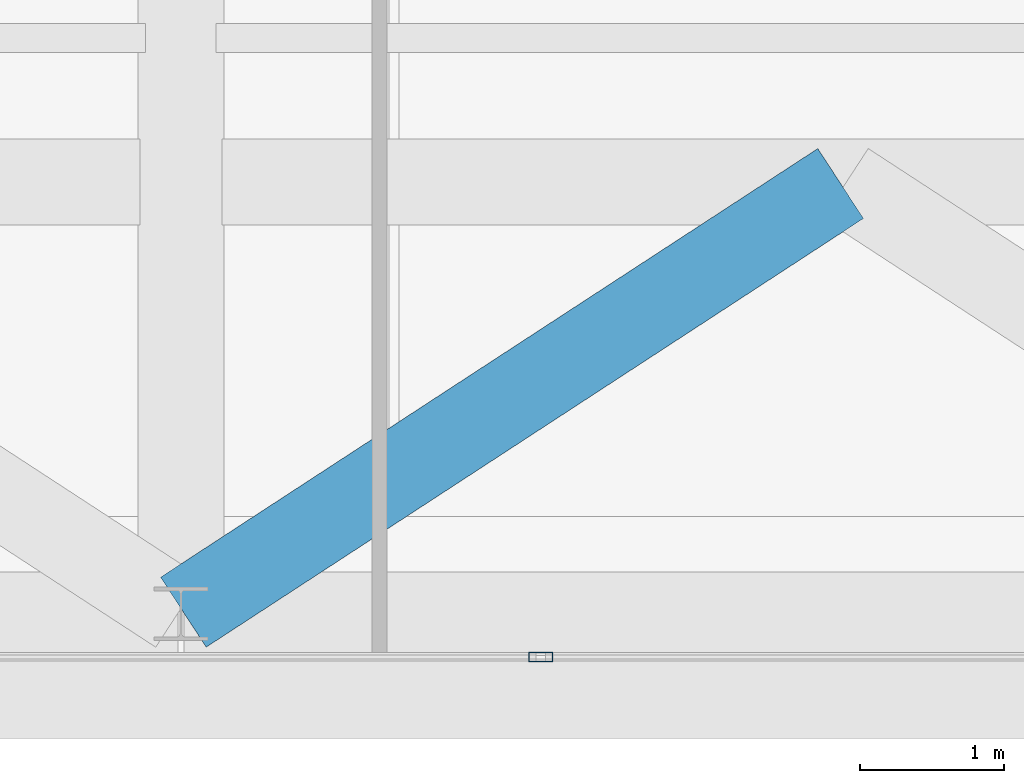
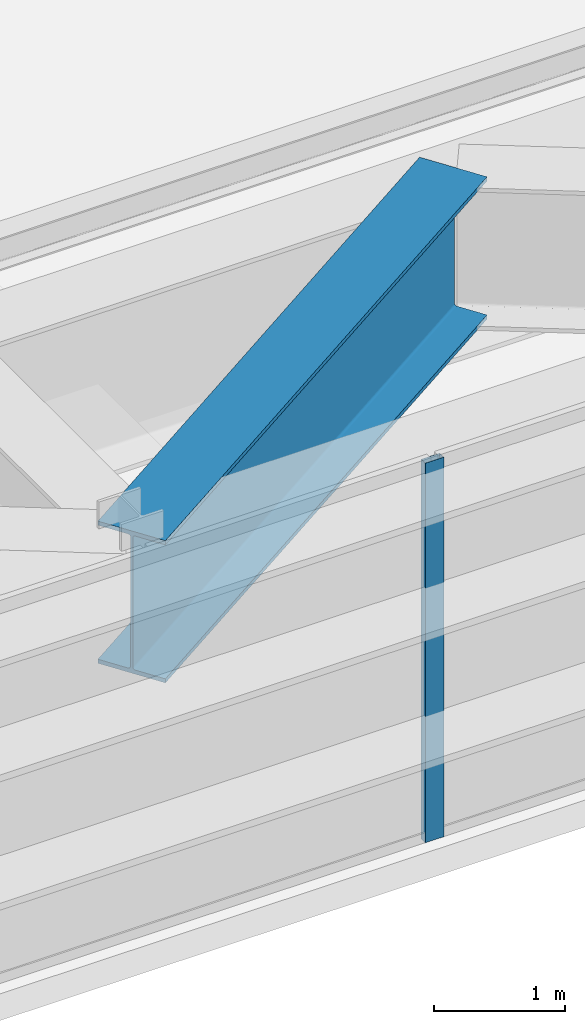
# One storey, part 13 of 26: 1 beam, 1 member, 1 element without a shape of its own.
"""IFC4 building model written with IfcOpenShell, lengths in metres."""

from ifc_helpers import new_model, si_unit, direction, frame, origin, origin_2d, place, context, subcontext, project, spatial, hollow_rectangle, i_section, extrude, source, transform, mapped, material, layer, layer_set, material_profile, profile_set, type_object, type_shapes, element, aggregate, save


model = new_model("IFC4")

# Units and contexts
model_context = context("Model", 3, precision=1e-05, world=origin(), true_north=direction((0.0, 1.0)))
body_context = subcontext(model_context, "Body", "Model", "MODEL_VIEW")
ifc_project = project(units=[si_unit("LENGTHUNIT", "METRE"), si_unit("AREAUNIT", "SQUARE_METRE"), si_unit("VOLUMEUNIT", "CUBIC_METRE"), si_unit("PLANEANGLEUNIT", "RADIAN"), si_unit("MASSUNIT", "GRAM", prefix="KILO")], contexts=[model_context])

# Site, building, storey
site_placement = place(None, origin())
site = spatial("IfcSite", under=ifc_project, at=site_placement, CompositionType="ELEMENT")
building_placement = place(site_placement, origin())
building = spatial("IfcBuilding", under=site, at=building_placement, Name="Varnel Quay Broadcast Tower", CompositionType="ELEMENT")
storey_placement = place(building_placement, frame((0.0, 0.0, 196.0)))
storey = spatial("IfcBuildingStorey", under=building, at=storey_placement, Name="L48", CompositionType="ELEMENT", Elevation=196.0)

# Beam
ifc_material_1 = material(Name="Structural Steel CSA G40.21 350WT", Category="steel")
ifc_material_profile_1 = material_profile(ifc_material_1, i_section(OverallWidth=0.580078125, OverallDepth=1.330078125, WebThickness=0.02197265625, FlangeThickness=0.0380859375, FilletRadius=0.02001953125, at=origin_2d()), Name="WWF1330X535")
ifc_profile_set_1 = profile_set([ifc_material_profile_1], Name="Structural Steel CSA G40.21 350WT")
beam_type = type_object("IfcBeamType", Name="Girder_WWF1330X535", PredefinedType="BEAM", material=ifc_profile_set_1)
shared_shape_1 = source(origin(), body_context, "Body", "SweptSolid", [
    extrude(i_section(OverallWidth=0.580078125, OverallDepth=1.330078125, WebThickness=0.02197265625, FlangeThickness=0.0380859375, FilletRadius=0.02001953125, at=origin_2d()), origin(), (0.0, 0.0, 1.0), 5.451904296875),
])
type_shapes(beam_type, [shared_shape_1])
beam_placement = place(storey_placement, frame((43.216796875, 7.660888671875, 2.885009765625), z_axis=(0.837595451539, 0.546291002637, 0.0), x_axis=(-0.546291002637, 0.837595451539, 0.0)))
element("IfcBeam", 1, at=beam_placement, inside=storey, type_object=beam_type, Name="L48 Nodal Transfer Tie TC-S4-TC-S4", PredefinedType="BEAM", context=body_context, shape_type="MappedRepresentation", body=[
    mapped(shared_shape_1, transform((0.0, 0.0, 0.0), x_axis=(1.0, 0.0, 0.0), y_axis=(0.0, 1.0, 0.0), z_axis=(0.0, 0.0, 1.0), scale=1.0)),
])

# Curtain wall, member
ifc_material_2 = material(Name="Anodised Bronze Aluminium 6063-T6", Category="aluminium")
ifc_layer = layer(ifc_material_2, 0.18994140625, Name="Anodised Bronze Aluminium 6063-T6")
ifc_layer_set = layer_set([ifc_layer], Name="Anodised Bronze Aluminium 6063-T6")
curtain_wall_type = type_object("IfcCurtainWallType", Name="CW_UpperTower", PredefinedType="NOTDEFINED", material=ifc_layer_set)
curtain_wall_placement = place(storey_placement, origin())
curtain_wall = element("IfcCurtainWall", 2, at=curtain_wall_placement, inside=storey, type_object=curtain_wall_type, Name="L48 South Unitised Curtain Wall 1", PredefinedType="NOTDEFINED")
ifc_material_profile_2 = material_profile(ifc_material_2, hollow_rectangle(XDim=0.06494140625, YDim=0.1650390625, WallThickness=0.00341796875, at=origin_2d()), Name="ALU65X165X3.5")
ifc_profile_set_2 = profile_set([ifc_material_profile_2], Name="Anodised Bronze Aluminium 6063-T6")
member_type = type_object("IfcMemberType", Name="Mull_CWS-03", PredefinedType="MULLION", material=ifc_profile_set_2)
shared_shape_2 = source(origin(), body_context, "Body", "SweptSolid", [
    extrude(hollow_rectangle(XDim=0.06494140625, YDim=0.1650390625, WallThickness=0.00341796875, at=origin_2d()), origin(), (0.0, 0.0, 1.0), 3.550048828125),
])
type_shapes(member_type, [shared_shape_2])
member_placement = place(storey_placement, frame((45.699951171875, 7.35009765625, 0.0), z_axis=(0.0, 0.0, 1.0), x_axis=(0.0, 1.0, 0.0)))
member = element("IfcMember", 3, at=member_placement, type_object=member_type, Name="CWS-03 mullion 4", PredefinedType="MULLION", context=body_context, shape_type="MappedRepresentation", body=[
    mapped(shared_shape_2, transform((0.0, 0.0, 0.0), x_axis=(1.0, 0.0, 0.0), y_axis=(0.0, 1.0, 0.0), z_axis=(0.0, 0.0, 1.0), scale=1.0)),
])
aggregate(curtain_wall, [member])

save(model, "model.ifc")
